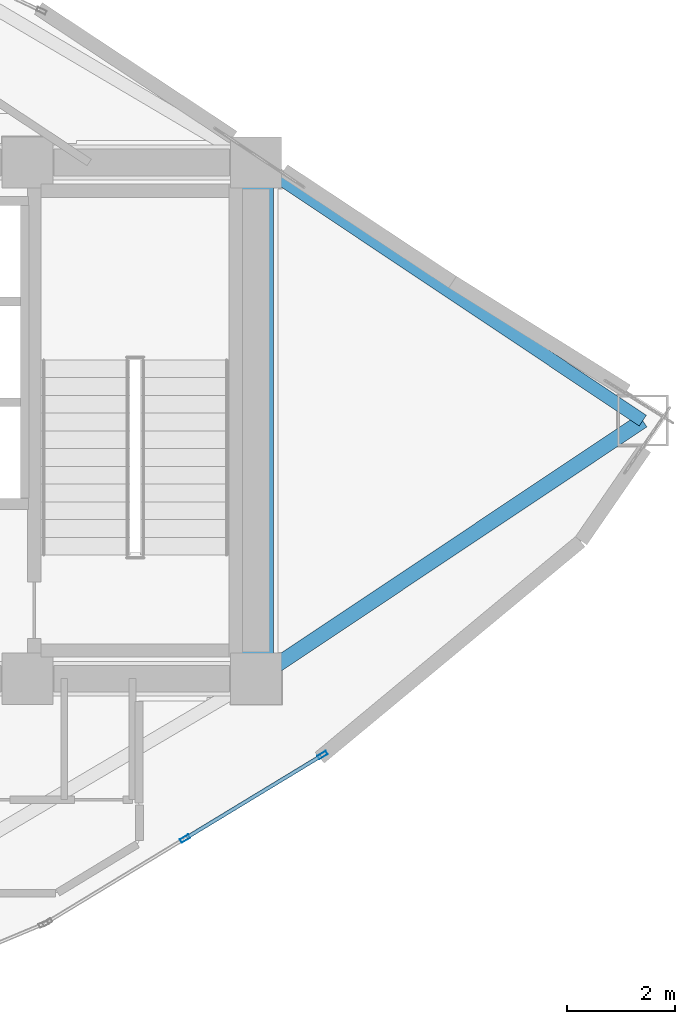
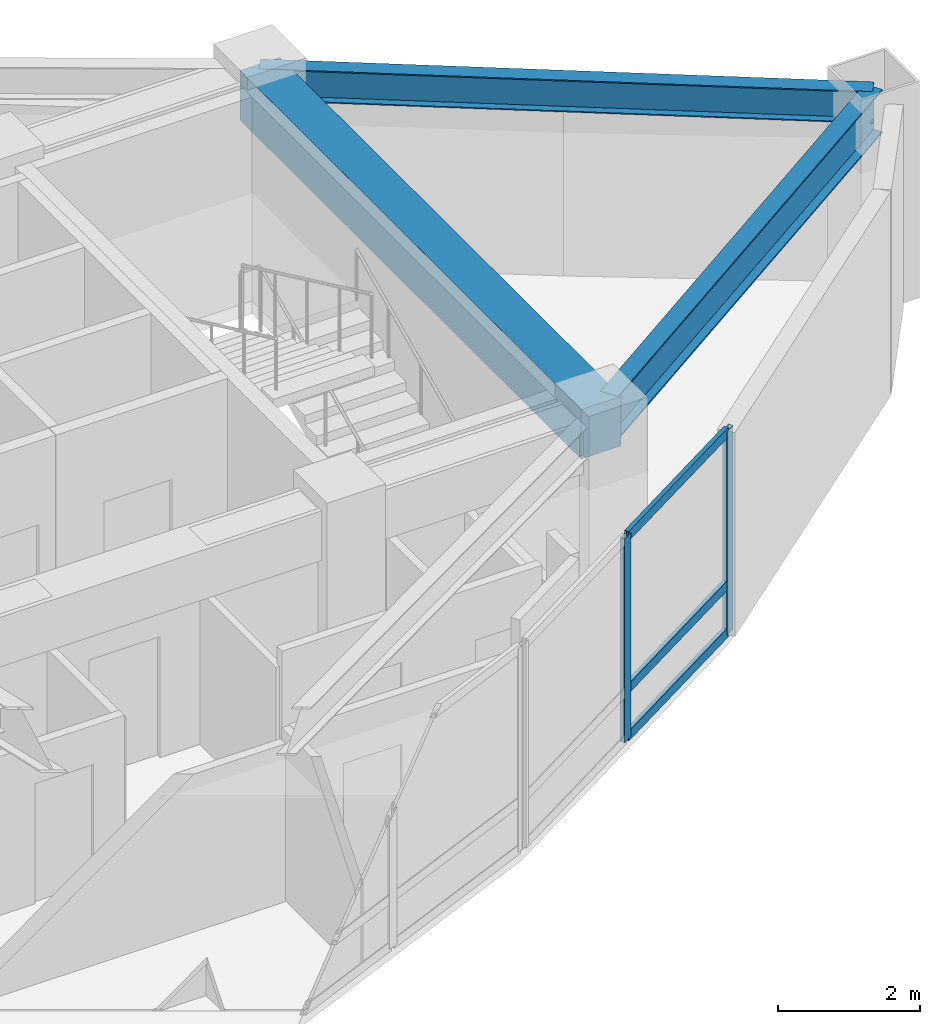
# One storey, part 10 of 16: 5 members, 3 beams, 1 element without a shape of its own.
"""IFC4 building model written with IfcOpenShell, lengths in metres."""

from ifc_helpers import new_model, si_unit, direction, frame, origin, origin_2d, place, context, subcontext, project, spatial, rectangle, hollow_rectangle, i_section, extrude, material, layer, layer_set, material_profile, profile_set, type_object, element, aggregate, save


model = new_model("IFC4")

# Units and contexts
model_context = context("Model", 3, precision=1e-05, world=origin(), true_north=direction((0.0, 1.0)))
body_context = subcontext(model_context, "Body", "Model", "MODEL_VIEW")
ifc_project = project(units=[si_unit("LENGTHUNIT", "METRE"), si_unit("AREAUNIT", "SQUARE_METRE"), si_unit("VOLUMEUNIT", "CUBIC_METRE"), si_unit("PLANEANGLEUNIT", "RADIAN"), si_unit("MASSUNIT", "GRAM", prefix="KILO")], contexts=[model_context])

# Site, building, storey
site_placement = place(None, origin())
site = spatial("IfcSite", under=ifc_project, at=site_placement, CompositionType="ELEMENT")
building_placement = place(site_placement, origin())
building = spatial("IfcBuilding", under=site, at=building_placement, Name="Menara Vayukalpa", CompositionType="ELEMENT")
storey_placement = place(building_placement, frame((0.0, 0.0, 198.9599609375)))
storey = spatial("IfcBuildingStorey", under=building, at=storey_placement, Name="L50", CompositionType="ELEMENT", Elevation=198.9599609375)

# Beams
ifc_material_1 = material(Name="Concrete C60/75", Category="concrete")
ifc_material_profile_1 = material_profile(ifc_material_1, rectangle(XDim=0.64990234375, YDim=0.85009765625, at=origin_2d()), Name="RC 650x850")
ifc_profile_set_1 = profile_set([ifc_material_profile_1], Name="Concrete C60/75")
beam_type_1 = type_object("IfcBeamType", Name="BM-CB1", PredefinedType="BEAM", material=ifc_profile_set_1)
beam_1_placement = place(storey_placement, frame((33.39990234375, 17.199951171875, 3.074951171875), z_axis=(0.0, 1.0, 0.0), x_axis=(-1.0, 0.0, 0.0)))
element("IfcBeam", 1, at=beam_1_placement, inside=storey, type_object=beam_type_1, Name="L50 Core Tie Beam CBR8", PredefinedType="BEAM", context=body_context, shape_type="SweptSolid", body=[
    extrude(rectangle(XDim=0.64990234375, YDim=0.85009765625, at=origin_2d()), origin(), (0.0, 0.0, 1.0), 9.60009765625),
])
ifc_material_2 = material(Name="Steel S355", Category="steel")
ifc_material_profile_2 = material_profile(ifc_material_2, i_section(OverallWidth=0.280029296875, OverallDepth=0.75, WebThickness=0.013916015625, FlangeThickness=0.02490234375, at=origin_2d()), Name="WF 750x280x14x25")
ifc_profile_set_2 = profile_set([ifc_material_profile_2], Name="Steel S355")
beam_type_2 = type_object("IfcBeamType", Name="BM-PG4", PredefinedType="BEAM", material=ifc_profile_set_2)
beam_2_placement = place(storey_placement, frame((33.60791015625, 17.3388671875, 3.125), z_axis=(0.831719080732, 0.555196695547, 0.0), x_axis=(-0.555196695547, 0.831719080732, 0.0)))
element("IfcBeam", 2, at=beam_2_placement, inside=storey, type_object=beam_type_2, Name="L50 Primary Radial Girder RG01", PredefinedType="BEAM", context=body_context, shape_type="SweptSolid", body=[
    extrude(i_section(OverallWidth=0.280029296875, OverallDepth=0.75, WebThickness=0.013916015625, FlangeThickness=0.02490234375, at=origin_2d()), origin(), (0.0, 0.0, 1.0), 8.3955078125),
])
ifc_material_3 = material(Name="Steel S355", Category="steel")
ifc_material_profile_3 = material_profile(ifc_material_3, i_section(OverallWidth=0.239990234375, OverallDepth=0.550048828125, WebThickness=0.010986328125, FlangeThickness=0.01904296875, at=origin_2d()), Name="WF 550x240x11x19")
ifc_profile_set_3 = profile_set([ifc_material_profile_3], Name="Steel S355")
beam_type_3 = type_object("IfcBeamType", Name="BM-SP2", PredefinedType="SPANDREL", material=ifc_profile_set_3)
beam_3_placement = place(storey_placement, frame((40.590576171875, 22.0, 3.22509765625), z_axis=(-0.831715622571, 0.555201876052, 0.0), x_axis=(-0.555201876052, -0.831715622571, 0.0)))
element("IfcBeam", 3, at=beam_3_placement, inside=storey, type_object=beam_type_3, Name="L50 Perimeter Spandrel Beam SP01", PredefinedType="SPANDREL", context=body_context, shape_type="SweptSolid", body=[
    extrude(i_section(OverallWidth=0.239990234375, OverallDepth=0.550048828125, WebThickness=0.010986328125, FlangeThickness=0.01904296875, at=origin_2d()), origin(), (0.0, 0.0, 1.0), 8.6455078125),
])

# Curtain wall, members
ifc_material_4 = material(Name="Anodised Terracotta Aluminium Alloy 6063-T6", Category="masonry")
ifc_layer = layer(ifc_material_4, 0.179931640625)
ifc_layer_set = layer_set([ifc_layer], Name="Anodised Terracotta Aluminium Alloy 6063-T6")
curtain_wall_type = type_object("IfcCurtainWallType", Name="CW-CW4", PredefinedType="USERDEFINED", material=ifc_layer_set)
curtain_wall_placement = place(storey_placement, origin())
curtain_wall = element("IfcCurtainWall", 4, at=curtain_wall_placement, inside=storey, type_object=curtain_wall_type, Name="L50 Sky Bar Cantilever Glazed Curtain Wall CW4 20", ObjectType="UNITISED", PredefinedType="USERDEFINED")
ifc_material_5 = material(Name="Anodised Terracotta Aluminium Alloy 6063-T6", Category="masonry")
ifc_material_profile_4 = material_profile(ifc_material_5, hollow_rectangle(XDim=0.074951171875, YDim=0.179931640625, WallThickness=0.00390625, at=origin_2d()), Name="ALU 75x180x4")
ifc_profile_set_4 = profile_set([ifc_material_profile_4], Name="Anodised Terracotta Aluminium Alloy 6063-T6")
member_type_1 = type_object("IfcMemberType", Name="CWM-CW4", PredefinedType="MULLION", material=ifc_profile_set_4)
member_1_placement = place(storey_placement, frame((32.075439453125, 14.226318359375, 0.0), z_axis=(0.0, 0.0, 1.0), x_axis=(-0.519179911779, 0.854664974832, 0.0)))
member_1 = element("IfcMember", 5, at=member_1_placement, type_object=member_type_1, Name="CW4 mullion 2", PredefinedType="MULLION", context=body_context, shape_type="SweptSolid", body=[
    extrude(hollow_rectangle(XDim=0.074951171875, YDim=0.179931640625, WallThickness=0.00390625, at=origin_2d()), origin(), (0.0, 0.0, 1.0), 3.5),
])
member_2_placement = place(storey_placement, frame((34.63525390625, 15.78125, 0.0), z_axis=(0.0, 0.0, 1.0), x_axis=(-0.519179911779, 0.854664974832, 0.0)))
member_2 = element("IfcMember", 6, at=member_2_placement, type_object=member_type_1, Name="CW4 mullion 3", PredefinedType="MULLION", context=body_context, shape_type="SweptSolid", body=[
    extrude(hollow_rectangle(XDim=0.074951171875, YDim=0.179931640625, WallThickness=0.00390625, at=origin_2d()), origin(), (0.0, 0.0, 1.0), 3.5),
])
ifc_material_6 = material(Name="Anodised Terracotta Aluminium Alloy 6063-T6", Category="masonry")
ifc_material_profile_5 = material_profile(ifc_material_6, hollow_rectangle(XDim=0.070068359375, YDim=0.1650390625, WallThickness=0.00390625, at=origin_2d()), Name="ALU 70x165x4")
ifc_profile_set_5 = profile_set([ifc_material_profile_5], Name="Anodised Terracotta Aluminium Alloy 6063-T6")
member_type_2 = type_object("IfcMemberType", Name="CWT-CW4", PredefinedType="USERDEFINED", material=ifc_profile_set_5)
member_3_placement = place(storey_placement, frame((32.107666015625, 14.245849609375, 0.03515625), z_axis=(0.854684171336, 0.519148309511, 0.0), x_axis=(-0.519148309511, 0.854684171336, 0.0)))
member_3 = element("IfcMember", 7, at=member_3_placement, type_object=member_type_2, Name="CW4 transom 2.1", ObjectType="TRANSOM", PredefinedType="USERDEFINED", context=body_context, shape_type="SweptSolid", body=[
    extrude(hollow_rectangle(XDim=0.070068359375, YDim=0.1650390625, WallThickness=0.00390625, at=origin_2d()), origin(), (0.0, 0.0, 1.0), 2.919921875),
])
member_4_placement = place(storey_placement, frame((32.107666015625, 14.245849609375, 0.85009765625), z_axis=(0.854684171336, 0.519148309511, 0.0), x_axis=(-0.519148309511, 0.854684171336, 0.0)))
member_4 = element("IfcMember", 8, at=member_4_placement, type_object=member_type_2, Name="CW4 transom 2.2", ObjectType="TRANSOM", PredefinedType="USERDEFINED", context=body_context, shape_type="SweptSolid", body=[
    extrude(hollow_rectangle(XDim=0.070068359375, YDim=0.1650390625, WallThickness=0.00390625, at=origin_2d()), origin(), (0.0, 0.0, 1.0), 2.919921875),
])
member_5_placement = place(storey_placement, frame((32.107666015625, 14.245849609375, 3.465087890625), z_axis=(0.854684171336, 0.519148309511, 0.0), x_axis=(-0.519148309511, 0.854684171336, 0.0)))
member_5 = element("IfcMember", 9, at=member_5_placement, type_object=member_type_2, Name="CW4 transom 2.3", ObjectType="TRANSOM", PredefinedType="USERDEFINED", context=body_context, shape_type="SweptSolid", body=[
    extrude(hollow_rectangle(XDim=0.070068359375, YDim=0.1650390625, WallThickness=0.00390625, at=origin_2d()), origin(), (0.0, 0.0, 1.0), 2.919921875),
])
aggregate(curtain_wall, [member_1, member_2, member_3, member_4, member_5])

save(model, "model.ifc")
